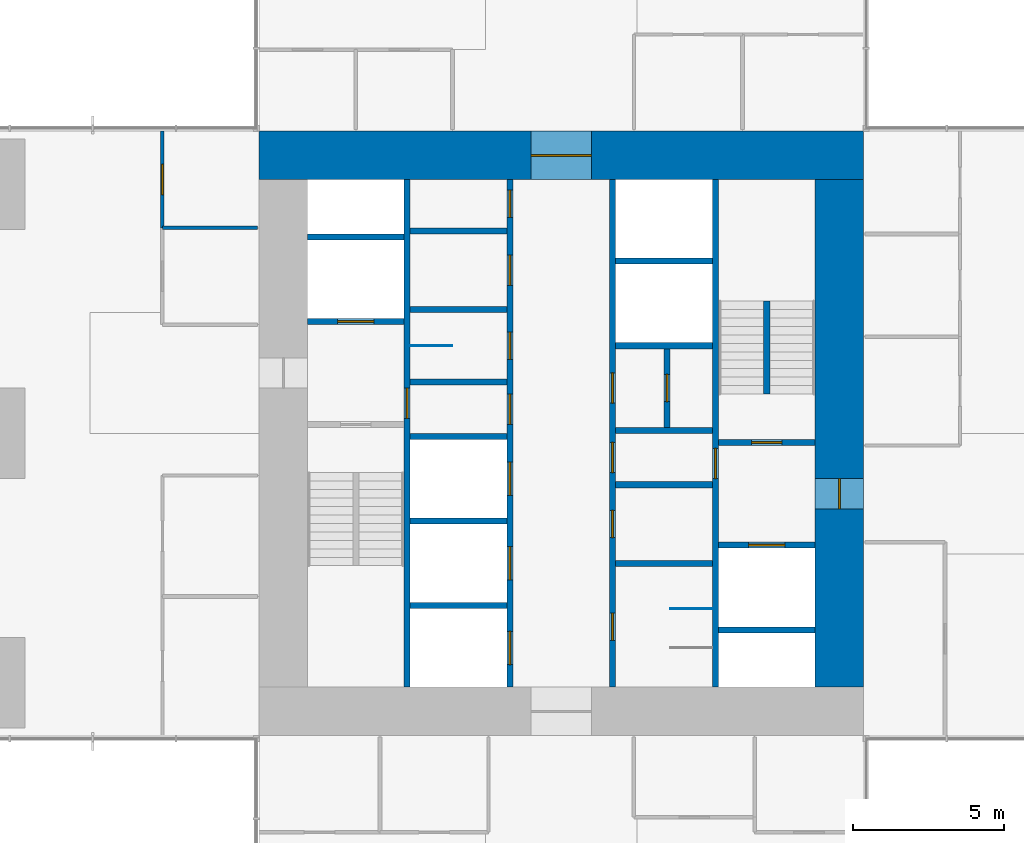
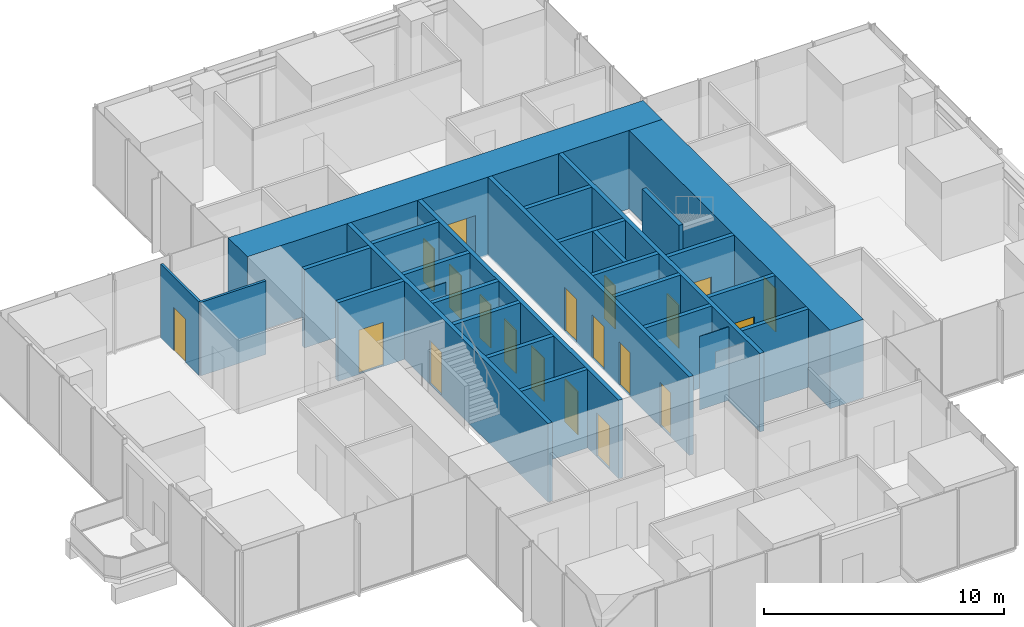
# One storey, part 9 of 13: 28 walls, 20 doors, 20 openings.
"""IFC4 building model written with IfcOpenShell, lengths in metres."""

from ifc_helpers import new_model, si_unit, direction, frame, frame_2d, origin, place, context, subcontext, project, spatial, rectangle, extrude, material, layer, layer_set, type_object, element, fill, save


model = new_model("IFC4")

# Units and contexts
model_context = context("Model", 3, precision=1e-05, world=origin(), true_north=direction((0.0, 1.0)))
body_context = subcontext(model_context, "Body", "Model", "MODEL_VIEW")
ifc_project = project(units=[si_unit("LENGTHUNIT", "METRE"), si_unit("AREAUNIT", "SQUARE_METRE"), si_unit("VOLUMEUNIT", "CUBIC_METRE"), si_unit("PLANEANGLEUNIT", "RADIAN"), si_unit("MASSUNIT", "GRAM", prefix="KILO")], contexts=[model_context])

# Site, building, storey
site_placement = place(None, origin())
site = spatial("IfcSite", under=ifc_project, at=site_placement, CompositionType="ELEMENT")
building_placement = place(site_placement, origin())
building = spatial("IfcBuilding", under=site, at=building_placement, Name="Svetlomir Tower", CompositionType="ELEMENT")
storey_placement = place(building_placement, frame((0.0, 0.0, 128.5)))
storey = spatial("IfcBuildingStorey", under=building, at=storey_placement, Name="L30", CompositionType="ELEMENT", Elevation=128.5)

# Wall, opening, door
ifc_material_1 = material(Name="Concrete C60/75", Category="concrete")
ifc_layer_1 = layer(ifc_material_1, 0.199951171875)
ifc_layer_set_1 = layer_set([ifc_layer_1], Name="Concrete C60/75")
wall_type_1 = type_object("IfcWallType", Name="CORE INNER WALL 200", PredefinedType="SHEAR", material=ifc_layer_set_1)
wall_1_placement = place(storey_placement, frame((15.89990234375, 12.60009765625, -0.050048828125), z_axis=(0.0, 0.0, 1.0), x_axis=(0.0, 1.0, 0.0)))
wall_1 = element("IfcWall", 1, at=wall_1_placement, inside=storey, type_object=wall_type_1, Name="Core inner wall 15.9 L30", PredefinedType="SHEAR", context=body_context, shape_type="SweptSolid", body=[
    extrude(rectangle(XDim=16.7998046875, YDim=0.199951171875, at=frame_2d((8.39990234375, 0.0))), origin(), (0.0, 0.0, 1.0), 4.0),
])
opening_1_placement = place(wall_1_placement, frame((8.89990234375, 0.0, 0.050048828125)))
opening_1 = element("IfcOpeningElement", 2, at=opening_1_placement, cuts=wall_1, Name="Opening DF", PredefinedType="OPENING", context=body_context, shape_type="SweptSolid", body=[
    extrude(rectangle(XDim=1.0, YDim=2.199951171875, at=frame_2d((0.5, 1.10009765625))), frame((0.0, 0.10986328125, 0.0), z_axis=(0.0, -1.0, 0.0), x_axis=(1.0, 0.0, 0.0)), (0.0, 0.0, 1.0), 0.219970703125),
])
ifc_material_2 = material(Name="Steel fire door", Category="steel")
door_type_1 = type_object("IfcDoorType", Name="DOOR DF 1000x2200", OperationType="SINGLE_SWING_LEFT", PredefinedType="DOOR", material=ifc_material_2)
door_1_placement = place(opening_1_placement, origin())
door_1 = element("IfcDoor", 3, at=door_1_placement, inside=storey, type_object=door_type_1, Name="Core corridor west door L30", OperationType="SINGLE_SWING_LEFT", OverallHeight=2.199951171875, OverallWidth=1.0, PredefinedType="DOOR", context=body_context, shape_type="SweptSolid", body=[
    extrude(rectangle(XDim=1.0, YDim=2.199951171875, at=frame_2d((0.5, 1.10009765625))), frame((0.0, 0.02490234375, 0.0), z_axis=(0.0, -1.0, 0.0), x_axis=(1.0, 0.0, 0.0)), (0.0, 0.0, 1.0), 0.050048828125),
])
fill(opening_1, door_1)

# Wall, openings, doors
wall_2_placement = place(storey_placement, frame((19.300048828125, 12.60009765625, -0.050048828125), z_axis=(0.0, 0.0, 1.0), x_axis=(0.0, 1.0, 0.0)))
wall_2 = element("IfcWall", 4, at=wall_2_placement, inside=storey, type_object=wall_type_1, Name="Core inner wall 19.3 L30", PredefinedType="SHEAR", context=body_context, shape_type="SweptSolid", body=[
    extrude(rectangle(XDim=16.7998046875, YDim=0.199951171875, at=frame_2d((8.39990234375, 0.0))), origin(), (0.0, 0.0, 1.0), 4.0),
])
opening_2_placement = place(wall_2_placement, frame((8.699951171875, 0.0, 0.050048828125)))
opening_2 = element("IfcOpeningElement", 5, at=opening_2_placement, cuts=wall_2, Name="Opening DC", PredefinedType="OPENING", context=body_context, shape_type="SweptSolid", body=[
    extrude(rectangle(XDim=1.0, YDim=2.199951171875, at=frame_2d((0.5, 1.10009765625))), frame((0.0, 0.10986328125, 0.0), z_axis=(0.0, -1.0, 0.0), x_axis=(1.0, 0.0, 0.0)), (0.0, 0.0, 1.0), 0.219970703125),
])
opening_3_placement = place(wall_2_placement, frame((10.85009765625, 0.0, 0.050048828125)))
opening_3 = element("IfcOpeningElement", 6, at=opening_3_placement, cuts=wall_2, Name="Opening DW", PredefinedType="OPENING", context=body_context, shape_type="SweptSolid", body=[
    extrude(rectangle(XDim=0.89990234375, YDim=2.199951171875, at=frame_2d((0.449951171875, 1.10009765625))), frame((0.0, 0.10986328125, 0.0), z_axis=(0.0, -1.0, 0.0), x_axis=(1.0, 0.0, 0.0)), (0.0, 0.0, 1.0), 0.219970703125),
])
opening_4_placement = place(wall_2_placement, frame((13.300048828125, 0.0, 0.050048828125)))
opening_4 = element("IfcOpeningElement", 7, at=opening_4_placement, cuts=wall_2, Name="Opening DC", PredefinedType="OPENING", context=body_context, shape_type="SweptSolid", body=[
    extrude(rectangle(XDim=1.0, YDim=2.199951171875, at=frame_2d((0.5, 1.10009765625))), frame((0.0, 0.10986328125, 0.0), z_axis=(0.0, -1.0, 0.0), x_axis=(1.0, 0.0, 0.0)), (0.0, 0.0, 1.0), 0.219970703125),
])
opening_5_placement = place(wall_2_placement, frame((15.550048828125, 0.0, 0.050048828125)))
opening_5 = element("IfcOpeningElement", 8, at=opening_5_placement, cuts=wall_2, Name="Opening DW", PredefinedType="OPENING", context=body_context, shape_type="SweptSolid", body=[
    extrude(rectangle(XDim=0.89990234375, YDim=2.199951171875, at=frame_2d((0.449951171875, 1.10009765625))), frame((0.0, 0.10986328125, 0.0), z_axis=(0.0, -1.0, 0.0), x_axis=(1.0, 0.0, 0.0)), (0.0, 0.0, 1.0), 0.219970703125),
])
opening_6_placement = place(wall_2_placement, frame((0.75, 0.0, 0.050048828125)))
opening_6 = element("IfcOpeningElement", 9, at=opening_6_placement, cuts=wall_2, Name="Opening LD", PredefinedType="OPENING", context=body_context, shape_type="SweptSolid", body=[
    extrude(rectangle(XDim=1.10009765625, YDim=2.199951171875, at=frame_2d((0.550048828125, 1.10009765625))), frame((0.0, 0.10986328125, 0.0), z_axis=(0.0, -1.0, 0.0), x_axis=(1.0, 0.0, 0.0)), (0.0, 0.0, 1.0), 0.219970703125),
])
opening_7_placement = place(wall_2_placement, frame((3.550048828125, 0.0, 0.050048828125)))
opening_7 = element("IfcOpeningElement", 10, at=opening_7_placement, cuts=wall_2, Name="Opening LD", PredefinedType="OPENING", context=body_context, shape_type="SweptSolid", body=[
    extrude(rectangle(XDim=1.10009765625, YDim=2.199951171875, at=frame_2d((0.550048828125, 1.10009765625))), frame((0.0, 0.10986328125, 0.0), z_axis=(0.0, -1.0, 0.0), x_axis=(1.0, 0.0, 0.0)), (0.0, 0.0, 1.0), 0.219970703125),
])
opening_8_placement = place(wall_2_placement, frame((6.35009765625, 0.0, 0.050048828125)))
opening_8 = element("IfcOpeningElement", 11, at=opening_8_placement, cuts=wall_2, Name="Opening LD", PredefinedType="OPENING", context=body_context, shape_type="SweptSolid", body=[
    extrude(rectangle(XDim=1.10009765625, YDim=2.199951171875, at=frame_2d((0.550048828125, 1.10009765625))), frame((0.0, 0.10986328125, 0.0), z_axis=(0.0, -1.0, 0.0), x_axis=(1.0, 0.0, 0.0)), (0.0, 0.0, 1.0), 0.219970703125),
])
ifc_material_3 = material(Name="Timber fire door", Category="wood")
door_type_2 = type_object("IfcDoorType", Name="DOOR DC 1000x2200", OperationType="SINGLE_SWING_LEFT", PredefinedType="DOOR", material=ifc_material_3)
door_2_placement = place(opening_2_placement, origin())
door_2 = element("IfcDoor", 12, at=door_2_placement, inside=storey, type_object=door_type_2, Name="Core corridor west lobby door L30", OperationType="SINGLE_SWING_LEFT", OverallHeight=2.199951171875, OverallWidth=1.0, PredefinedType="DOOR", context=body_context, shape_type="SweptSolid", body=[
    extrude(rectangle(XDim=1.0, YDim=2.199951171875, at=frame_2d((0.5, 1.10009765625))), frame((0.0, 0.02490234375, 0.0), z_axis=(0.0, -1.0, 0.0), x_axis=(1.0, 0.0, 0.0)), (0.0, 0.0, 1.0), 0.050048828125),
])
fill(opening_2, door_2)
door_3_placement = place(opening_4_placement, origin())
door_3 = element("IfcDoor", 13, at=door_3_placement, inside=storey, type_object=door_type_2, Name="Accessible WC door L30", OperationType="SINGLE_SWING_RIGHT", OverallHeight=2.199951171875, OverallWidth=1.0, PredefinedType="DOOR", context=body_context, shape_type="SweptSolid", body=[
    extrude(rectangle(XDim=1.0, YDim=2.199951171875, at=frame_2d((0.5, 1.10009765625))), frame((0.0, 0.02490234375, 0.0), z_axis=(0.0, -1.0, 0.0), x_axis=(1.0, 0.0, 0.0)), (0.0, 0.0, 1.0), 0.050048828125),
])
fill(opening_4, door_3)
ifc_material_4 = material(Name="Timber fire door", Category="wood")
door_type_3 = type_object("IfcDoorType", Name="DOOR DW 900x2200", OperationType="SINGLE_SWING_LEFT", PredefinedType="DOOR", material=ifc_material_4)
door_4_placement = place(opening_3_placement, origin())
door_4 = element("IfcDoor", 14, at=door_4_placement, inside=storey, type_object=door_type_3, Name="Female WC door L30", OperationType="SINGLE_SWING_LEFT", OverallHeight=2.199951171875, OverallWidth=0.89990234375, PredefinedType="DOOR", context=body_context, shape_type="SweptSolid", body=[
    extrude(rectangle(XDim=0.89990234375, YDim=2.199951171875, at=frame_2d((0.449951171875, 1.10009765625))), frame((0.0, 0.02490234375, 0.0), z_axis=(0.0, -1.0, 0.0), x_axis=(1.0, 0.0, 0.0)), (0.0, 0.0, 1.0), 0.050048828125),
])
fill(opening_3, door_4)
door_5_placement = place(opening_5_placement, origin())
door_5 = element("IfcDoor", 15, at=door_5_placement, inside=storey, type_object=door_type_3, Name="First aid room door L30", OperationType="SINGLE_SWING_LEFT", OverallHeight=2.199951171875, OverallWidth=0.89990234375, PredefinedType="DOOR", context=body_context, shape_type="SweptSolid", body=[
    extrude(rectangle(XDim=0.89990234375, YDim=2.199951171875, at=frame_2d((0.449951171875, 1.10009765625))), frame((0.0, 0.02490234375, 0.0), z_axis=(0.0, -1.0, 0.0), x_axis=(1.0, 0.0, 0.0)), (0.0, 0.0, 1.0), 0.050048828125),
])
fill(opening_5, door_5)
ifc_material_5 = material(Name="Stainless steel landing door", Category="steel")
door_type_4 = type_object("IfcDoorType", Name="LIFT LANDING DOOR LD 1100x2200", OperationType="DOUBLE_DOOR_SLIDING", PredefinedType="DOOR", material=ifc_material_5)
door_6_placement = place(opening_6_placement, origin())
door_6 = element("IfcDoor", 16, at=door_6_placement, inside=storey, type_object=door_type_4, Name="Landing door lift LB1 L30", OperationType="DOUBLE_DOOR_SLIDING", OverallHeight=2.199951171875, OverallWidth=1.10009765625, PredefinedType="DOOR", context=body_context, shape_type="SweptSolid", body=[
    extrude(rectangle(XDim=1.10009765625, YDim=2.199951171875, at=frame_2d((0.550048828125, 1.10009765625))), frame((0.0, 0.02490234375, 0.0), z_axis=(0.0, -1.0, 0.0), x_axis=(1.0, 0.0, 0.0)), (0.0, 0.0, 1.0), 0.050048828125),
])
fill(opening_6, door_6)
door_7_placement = place(opening_7_placement, origin())
door_7 = element("IfcDoor", 17, at=door_7_placement, inside=storey, type_object=door_type_4, Name="Landing door lift LB2 L30", OperationType="DOUBLE_DOOR_SLIDING", OverallHeight=2.199951171875, OverallWidth=1.10009765625, PredefinedType="DOOR", context=body_context, shape_type="SweptSolid", body=[
    extrude(rectangle(XDim=1.10009765625, YDim=2.199951171875, at=frame_2d((0.550048828125, 1.10009765625))), frame((0.0, 0.02490234375, 0.0), z_axis=(0.0, -1.0, 0.0), x_axis=(1.0, 0.0, 0.0)), (0.0, 0.0, 1.0), 0.050048828125),
])
fill(opening_7, door_7)
door_8_placement = place(opening_8_placement, origin())
door_8 = element("IfcDoor", 18, at=door_8_placement, inside=storey, type_object=door_type_4, Name="Landing door lift LB3 L30", OperationType="DOUBLE_DOOR_SLIDING", OverallHeight=2.199951171875, OverallWidth=1.10009765625, PredefinedType="DOOR", context=body_context, shape_type="SweptSolid", body=[
    extrude(rectangle(XDim=1.10009765625, YDim=2.199951171875, at=frame_2d((0.550048828125, 1.10009765625))), frame((0.0, 0.02490234375, 0.0), z_axis=(0.0, -1.0, 0.0), x_axis=(1.0, 0.0, 0.0)), (0.0, 0.0, 1.0), 0.050048828125),
])
fill(opening_8, door_8)

wall_3_placement = place(storey_placement, frame((22.699951171875, 12.60009765625, -0.050048828125), z_axis=(0.0, 0.0, 1.0), x_axis=(0.0, 1.0, 0.0)))
wall_3 = element("IfcWall", 19, at=wall_3_placement, inside=storey, type_object=wall_type_1, Name="Core inner wall 22.7 L30", PredefinedType="SHEAR", context=body_context, shape_type="SweptSolid", body=[
    extrude(rectangle(XDim=16.7998046875, YDim=0.199951171875, at=frame_2d((8.39990234375, 0.0))), origin(), (0.0, 0.0, 1.0), 4.0),
])
opening_9_placement = place(wall_3_placement, frame((7.10009765625, 0.0, 0.050048828125)))
opening_9 = element("IfcOpeningElement", 20, at=opening_9_placement, cuts=wall_3, Name="Opening DC", PredefinedType="OPENING", context=body_context, shape_type="SweptSolid", body=[
    extrude(rectangle(XDim=1.0, YDim=2.199951171875, at=frame_2d((0.5, 1.10009765625))), frame((0.0, 0.10986328125, 0.0), z_axis=(0.0, -1.0, 0.0), x_axis=(1.0, 0.0, 0.0)), (0.0, 0.0, 1.0), 0.219970703125),
])
opening_10_placement = place(wall_3_placement, frame((1.550048828125, 0.0, 0.050048828125)))
opening_10 = element("IfcOpeningElement", 21, at=opening_10_placement, cuts=wall_3, Name="Opening DW", PredefinedType="OPENING", context=body_context, shape_type="SweptSolid", body=[
    extrude(rectangle(XDim=0.89990234375, YDim=2.199951171875, at=frame_2d((0.449951171875, 1.10009765625))), frame((0.0, 0.10986328125, 0.0), z_axis=(0.0, -1.0, 0.0), x_axis=(1.0, 0.0, 0.0)), (0.0, 0.0, 1.0), 0.219970703125),
])
opening_11_placement = place(wall_3_placement, frame((4.949951171875, 0.0, 0.050048828125)))
opening_11 = element("IfcOpeningElement", 22, at=opening_11_placement, cuts=wall_3, Name="Opening DW", PredefinedType="OPENING", context=body_context, shape_type="SweptSolid", body=[
    extrude(rectangle(XDim=0.89990234375, YDim=2.199951171875, at=frame_2d((0.449951171875, 1.10009765625))), frame((0.0, 0.10986328125, 0.0), z_axis=(0.0, -1.0, 0.0), x_axis=(1.0, 0.0, 0.0)), (0.0, 0.0, 1.0), 0.219970703125),
])
opening_12_placement = place(wall_3_placement, frame((9.39990234375, 0.0, 0.050048828125)))
opening_12 = element("IfcOpeningElement", 23, at=opening_12_placement, cuts=wall_3, Name="Opening DC", PredefinedType="OPENING", context=body_context, shape_type="SweptSolid", body=[
    extrude(rectangle(XDim=1.0, YDim=2.199951171875, at=frame_2d((0.5, 1.10009765625))), frame((0.0, 0.10986328125, 0.0), z_axis=(0.0, -1.0, 0.0), x_axis=(1.0, 0.0, 0.0)), (0.0, 0.0, 1.0), 0.219970703125),
])
door_9_placement = place(opening_9_placement, origin())
door_9 = element("IfcDoor", 24, at=door_9_placement, inside=storey, type_object=door_type_2, Name="Core corridor east lobby door L30", OperationType="SINGLE_SWING_RIGHT", OverallHeight=2.199951171875, OverallWidth=1.0, PredefinedType="DOOR", context=body_context, shape_type="SweptSolid", body=[
    extrude(rectangle(XDim=1.0, YDim=2.199951171875, at=frame_2d((0.5, 1.10009765625))), frame((0.0, 0.02490234375, 0.0), z_axis=(0.0, -1.0, 0.0), x_axis=(1.0, 0.0, 0.0)), (0.0, 0.0, 1.0), 0.050048828125),
])
fill(opening_9, door_9)
door_10_placement = place(opening_12_placement, origin())
door_10 = element("IfcDoor", 25, at=door_10_placement, inside=storey, type_object=door_type_2, Name="Converted shaft BANK-E1 room door L30", OperationType="SINGLE_SWING_RIGHT", OverallHeight=2.199951171875, OverallWidth=1.0, PredefinedType="DOOR", context=body_context, shape_type="SweptSolid", body=[
    extrude(rectangle(XDim=1.0, YDim=2.199951171875, at=frame_2d((0.5, 1.10009765625))), frame((0.0, 0.02490234375, 0.0), z_axis=(0.0, -1.0, 0.0), x_axis=(1.0, 0.0, 0.0)), (0.0, 0.0, 1.0), 0.050048828125),
])
fill(opening_12, door_10)
door_11_placement = place(opening_10_placement, origin())
door_11 = element("IfcDoor", 26, at=door_11_placement, inside=storey, type_object=door_type_3, Name="Male WC door L30", OperationType="SINGLE_SWING_RIGHT", OverallHeight=2.199951171875, OverallWidth=0.89990234375, PredefinedType="DOOR", context=body_context, shape_type="SweptSolid", body=[
    extrude(rectangle(XDim=0.89990234375, YDim=2.199951171875, at=frame_2d((0.449951171875, 1.10009765625))), frame((0.0, 0.02490234375, 0.0), z_axis=(0.0, -1.0, 0.0), x_axis=(1.0, 0.0, 0.0)), (0.0, 0.0, 1.0), 0.050048828125),
])
fill(opening_10, door_11)
door_12_placement = place(opening_11_placement, origin())
door_12 = element("IfcDoor", 27, at=door_12_placement, inside=storey, type_object=door_type_3, Name="Comms room door L30", OperationType="SINGLE_SWING_LEFT", OverallHeight=2.199951171875, OverallWidth=0.89990234375, PredefinedType="DOOR", context=body_context, shape_type="SweptSolid", body=[
    extrude(rectangle(XDim=0.89990234375, YDim=2.199951171875, at=frame_2d((0.449951171875, 1.10009765625))), frame((0.0, 0.02490234375, 0.0), z_axis=(0.0, -1.0, 0.0), x_axis=(1.0, 0.0, 0.0)), (0.0, 0.0, 1.0), 0.050048828125),
])
fill(opening_11, door_12)

# Wall, opening, door
wall_4_placement = place(storey_placement, frame((26.10009765625, 12.60009765625, -0.050048828125), z_axis=(0.0, 0.0, 1.0), x_axis=(0.0, 1.0, 0.0)))
wall_4 = element("IfcWall", 28, at=wall_4_placement, inside=storey, type_object=wall_type_1, Name="Core inner wall 26.1 L30", PredefinedType="SHEAR", context=body_context, shape_type="SweptSolid", body=[
    extrude(rectangle(XDim=16.7998046875, YDim=0.199951171875, at=frame_2d((8.39990234375, 0.0))), origin(), (0.0, 0.0, 1.0), 4.0),
])
opening_13_placement = place(wall_4_placement, frame((6.89990234375, 0.0, 0.050048828125)))
opening_13 = element("IfcOpeningElement", 29, at=opening_13_placement, cuts=wall_4, Name="Opening DF", PredefinedType="OPENING", context=body_context, shape_type="SweptSolid", body=[
    extrude(rectangle(XDim=1.0, YDim=2.199951171875, at=frame_2d((0.5, 1.10009765625))), frame((0.0, 0.10986328125, 0.0), z_axis=(0.0, -1.0, 0.0), x_axis=(1.0, 0.0, 0.0)), (0.0, 0.0, 1.0), 0.219970703125),
])
door_13_placement = place(opening_13_placement, origin())
door_13 = element("IfcDoor", 30, at=door_13_placement, inside=storey, type_object=door_type_1, Name="Core corridor east door L30", OperationType="SINGLE_SWING_LEFT", OverallHeight=2.199951171875, OverallWidth=1.0, PredefinedType="DOOR", context=body_context, shape_type="SweptSolid", body=[
    extrude(rectangle(XDim=1.0, YDim=2.199951171875, at=frame_2d((0.5, 1.10009765625))), frame((0.0, 0.02490234375, 0.0), z_axis=(0.0, -1.0, 0.0), x_axis=(1.0, 0.0, 0.0)), (0.0, 0.0, 1.0), 0.050048828125),
])
fill(opening_13, door_13)

wall_5_placement = place(storey_placement, frame((12.60009765625, 24.699951171875, -0.050048828125), z_axis=(0.0, 0.0, 1.0), x_axis=(1.0, 0.0, 0.0)))
wall_5 = element("IfcWall", 31, at=wall_5_placement, inside=storey, type_object=wall_type_1, Name="Core inner wall 12.6-15.8/24.7 L30", PredefinedType="SHEAR", context=body_context, shape_type="SweptSolid", body=[
    extrude(rectangle(XDim=3.199951171875, YDim=0.199951171875, at=frame_2d((1.60009765625, 0.0))), origin(), (0.0, 0.0, 1.0), 4.0),
])
opening_14_placement = place(wall_5_placement, frame((1.0, 0.0, 0.050048828125)))
opening_14 = element("IfcOpeningElement", 32, at=opening_14_placement, cuts=wall_5, Name="Opening LD3", PredefinedType="OPENING", context=body_context, shape_type="SweptSolid", body=[
    extrude(rectangle(XDim=1.199951171875, YDim=2.199951171875, at=frame_2d((0.60009765625, 1.10009765625))), frame((0.0, 0.10986328125, 0.0), z_axis=(0.0, -1.0, 0.0), x_axis=(1.0, 0.0, 0.0)), (0.0, 0.0, 1.0), 0.219970703125),
])
ifc_material_6 = material(Name="Stainless steel fire-rated landing door", Category="steel")
door_type_5 = type_object("IfcDoorType", Name="FIREFIGHTING LIFT LANDING DOOR LD3 1200x2200", OperationType="DOUBLE_DOOR_SLIDING", PredefinedType="DOOR", material=ifc_material_6)
door_14_placement = place(opening_14_placement, origin())
door_14 = element("IfcDoor", 33, at=door_14_placement, inside=storey, type_object=door_type_5, Name="Landing door lift FL1 L30", OperationType="DOUBLE_DOOR_SLIDING", OverallHeight=2.199951171875, OverallWidth=1.199951171875, PredefinedType="DOOR", context=body_context, shape_type="SweptSolid", body=[
    extrude(rectangle(XDim=1.199951171875, YDim=2.199951171875, at=frame_2d((0.60009765625, 1.10009765625))), frame((0.0, 0.02490234375, 0.0), z_axis=(0.0, -1.0, 0.0), x_axis=(1.0, 0.0, 0.0)), (0.0, 0.0, 1.0), 0.050048828125),
])
fill(opening_14, door_14)

# Walls
for number, where, z_axis, x_axis, name in (
    (34, (12.60009765625, 27.5, -0.050048828125), (0.0, 0.0, 1.0), (1.0, 0.0, 0.0), "Core inner wall 12.6-15.8/27.5 L30"),
    (35, (16.0, 15.300048828125, -0.050048828125), (0.0, 0.0, 1.0), (1.0, 0.0, 0.0), "Core inner wall 16-19.2/15.3 L30"),
    (36, (16.0, 18.10009765625, -0.050048828125), (0.0, 0.0, 1.0), (1.0, 0.0, 0.0), "Core inner wall 16-19.2/18.1 L30"),
    (37, (16.0, 20.89990234375, -0.050048828125), (0.0, 0.0, 1.0), (1.0, 0.0, 0.0), "Core inner wall 16-19.2/20.9 L30"),
    (38, (16.0, 22.699951171875, -0.050048828125), (0.0, 0.0, 1.0), (1.0, 0.0, 0.0), "Core inner wall 16-19.2/22.7 L30"),
    (39, (16.0, 25.10009765625, -0.050048828125), (0.0, 0.0, 1.0), (1.0, 0.0, 0.0), "Core inner wall 16-19.2/25.1 L30"),
    (40, (16.0, 27.699951171875, -0.050048828125), (0.0, 0.0, 1.0), (1.0, 0.0, 0.0), "Core inner wall 16-19.2/27.7 L30"),
    (41, (22.800048828125, 16.699951171875, -0.050048828125), (0.0, 0.0, 1.0), (1.0, 0.0, 0.0), "Core inner wall 22.8-26/16.7 L30"),
    (42, (22.800048828125, 19.300048828125, -0.050048828125), (0.0, 0.0, 1.0), (1.0, 0.0, 0.0), "Core inner wall 22.8-26/19.3 L30"),
    (43, (22.800048828125, 21.10009765625, -0.050048828125), (0.0, 0.0, 1.0), (1.0, 0.0, 0.0), "Core inner wall 22.8-26/21.1 L30"),
    (44, (22.800048828125, 23.89990234375, -0.050048828125), (0.0, 0.0, 1.0), (1.0, 0.0, 0.0), "Core inner wall 22.8-26/23.9 L30"),
    (45, (22.800048828125, 26.699951171875, -0.050048828125), (0.0, 0.0, 1.0), (1.0, 0.0, 0.0), "Core inner wall 22.8-26/26.7 L30"),
    (46, (26.199951171875, 14.5, -0.050048828125), (0.0, 0.0, 1.0), (1.0, 0.0, 0.0), "Core inner wall 26.2-29.4/14.5 L30"),
):
    element("IfcWall", number, at=place(storey_placement, frame(where, z_axis=z_axis, x_axis=x_axis)), inside=storey, type_object=wall_type_1, Name=name, PredefinedType="SHEAR", context=body_context, shape_type="SweptSolid", body=[
        extrude(rectangle(XDim=3.199951171875, YDim=0.199951171875, at=frame_2d((1.60009765625, 0.0))), origin(), (0.0, 0.0, 1.0), 4.0),
    ])

# Wall, opening, door
wall_6_placement = place(storey_placement, frame((26.199951171875, 17.300048828125, -0.050048828125), z_axis=(0.0, 0.0, 1.0), x_axis=(1.0, 0.0, 0.0)))
wall_6 = element("IfcWall", 47, at=wall_6_placement, inside=storey, type_object=wall_type_1, Name="Core inner wall 26.2-29.4/17.3 L30", PredefinedType="SHEAR", context=body_context, shape_type="SweptSolid", body=[
    extrude(rectangle(XDim=3.199951171875, YDim=0.199951171875, at=frame_2d((1.60009765625, 0.0))), origin(), (0.0, 0.0, 1.0), 4.0),
])
opening_15_placement = place(wall_6_placement, frame((1.0, 0.0, 0.050048828125)))
opening_15 = element("IfcOpeningElement", 48, at=opening_15_placement, cuts=wall_6, Name="Opening LD3", PredefinedType="OPENING", context=body_context, shape_type="SweptSolid", body=[
    extrude(rectangle(XDim=1.199951171875, YDim=2.199951171875, at=frame_2d((0.60009765625, 1.10009765625))), frame((0.0, 0.10986328125, 0.0), z_axis=(0.0, -1.0, 0.0), x_axis=(1.0, 0.0, 0.0)), (0.0, 0.0, 1.0), 0.219970703125),
])
door_15_placement = place(opening_15_placement, origin())
door_15 = element("IfcDoor", 49, at=door_15_placement, inside=storey, type_object=door_type_5, Name="Landing door lift FL2 L30", OperationType="DOUBLE_DOOR_SLIDING", OverallHeight=2.199951171875, OverallWidth=1.199951171875, PredefinedType="DOOR", context=body_context, shape_type="SweptSolid", body=[
    extrude(rectangle(XDim=1.199951171875, YDim=2.199951171875, at=frame_2d((0.60009765625, 1.10009765625))), frame((0.0, 0.02490234375, 0.0), z_axis=(0.0, -1.0, 0.0), x_axis=(1.0, 0.0, 0.0)), (0.0, 0.0, 1.0), 0.050048828125),
])
fill(opening_15, door_15)

wall_7_placement = place(storey_placement, frame((26.199951171875, 20.699951171875, -0.050048828125), z_axis=(0.0, 0.0, 1.0), x_axis=(1.0, 0.0, 0.0)))
wall_7 = element("IfcWall", 50, at=wall_7_placement, inside=storey, type_object=wall_type_1, Name="Core inner wall 26.2-29.4/20.7 L30", PredefinedType="SHEAR", context=body_context, shape_type="SweptSolid", body=[
    extrude(rectangle(XDim=3.199951171875, YDim=0.199951171875, at=frame_2d((1.60009765625, 0.0))), origin(), (0.0, 0.0, 1.0), 4.0),
])
opening_16_placement = place(wall_7_placement, frame((1.10009765625, 0.0, 0.050048828125)))
opening_16 = element("IfcOpeningElement", 51, at=opening_16_placement, cuts=wall_7, Name="Opening DF", PredefinedType="OPENING", context=body_context, shape_type="SweptSolid", body=[
    extrude(rectangle(XDim=1.0, YDim=2.199951171875, at=frame_2d((0.5, 1.10009765625))), frame((0.0, 0.10986328125, 0.0), z_axis=(0.0, -1.0, 0.0), x_axis=(1.0, 0.0, 0.0)), (0.0, 0.0, 1.0), 0.219970703125),
])
door_16_placement = place(opening_16_placement, origin())
door_16 = element("IfcDoor", 52, at=door_16_placement, inside=storey, type_object=door_type_1, Name="Stair S2 door L30", OperationType="SINGLE_SWING_RIGHT", OverallHeight=2.199951171875, OverallWidth=1.0, PredefinedType="DOOR", context=body_context, shape_type="SweptSolid", body=[
    extrude(rectangle(XDim=1.0, YDim=2.199951171875, at=frame_2d((0.5, 1.10009765625))), frame((0.0, 0.02490234375, 0.0), z_axis=(0.0, -1.0, 0.0), x_axis=(1.0, 0.0, 0.0)), (0.0, 0.0, 1.0), 0.050048828125),
])
fill(opening_16, door_16)

wall_8_placement = place(storey_placement, frame((24.5, 21.199951171875, -0.050048828125), z_axis=(0.0, 0.0, 1.0), x_axis=(0.0, 1.0, 0.0)))
wall_8 = element("IfcWall", 53, at=wall_8_placement, inside=storey, type_object=wall_type_1, Name="Core inner wall 24.5/21.2-23.8 L30", PredefinedType="SHEAR", context=body_context, shape_type="SweptSolid", body=[
    extrude(rectangle(XDim=2.60009765625, YDim=0.199951171875, at=frame_2d((1.300048828125, 0.0))), origin(), (0.0, 0.0, 1.0), 4.0),
])
opening_17_placement = place(wall_8_placement, frame((0.85009765625, 0.0, 0.050048828125)))
opening_17 = element("IfcOpeningElement", 54, at=opening_17_placement, cuts=wall_8, Name="Opening DW", PredefinedType="OPENING", context=body_context, shape_type="SweptSolid", body=[
    extrude(rectangle(XDim=0.89990234375, YDim=2.199951171875, at=frame_2d((0.449951171875, 1.10009765625))), frame((0.0, 0.10986328125, 0.0), z_axis=(0.0, -1.0, 0.0), x_axis=(1.0, 0.0, 0.0)), (0.0, 0.0, 1.0), 0.219970703125),
])
door_17_placement = place(opening_17_placement, origin())
door_17 = element("IfcDoor", 55, at=door_17_placement, inside=storey, type_object=door_type_3, Name="Converted shaft BANK-E1 back room door L30", OperationType="SINGLE_SWING_LEFT", OverallHeight=2.199951171875, OverallWidth=0.89990234375, PredefinedType="DOOR", context=body_context, shape_type="SweptSolid", body=[
    extrude(rectangle(XDim=0.89990234375, YDim=2.199951171875, at=frame_2d((0.449951171875, 1.10009765625))), frame((0.0, 0.02490234375, 0.0), z_axis=(0.0, -1.0, 0.0), x_axis=(1.0, 0.0, 0.0)), (0.0, 0.0, 1.0), 0.050048828125),
])
fill(opening_17, door_17)

ifc_material_7 = material(Name="Concrete C60/75", Category="concrete")
ifc_layer_2 = layer(ifc_material_7, 1.60009765625)
ifc_layer_set_2 = layer_set([ifc_layer_2], Name="Concrete C60/75")
wall_type_2 = type_object("IfcWallType", Name="CORE WALL 1600", PredefinedType="SHEAR", material=ifc_layer_set_2)
wall_9_placement = place(storey_placement, frame((11.0, 30.199951171875, -0.050048828125), z_axis=(0.0, 0.0, 1.0), x_axis=(1.0, 0.0, 0.0)))
wall_9 = element("IfcWall", 56, at=wall_9_placement, inside=storey, type_object=wall_type_2, Name="Core wall north L30", PredefinedType="SHEAR", context=body_context, shape_type="SweptSolid", body=[
    extrude(rectangle(XDim=20.0, YDim=1.60009765625, at=frame_2d((10.0, 0.0))), origin(), (0.0, 0.0, 1.0), 4.0),
])
opening_18_placement = place(wall_9_placement, frame((9.0, 0.0, 0.050048828125)))
opening_18 = element("IfcOpeningElement", 57, at=opening_18_placement, cuts=wall_9, Name="Opening DL", PredefinedType="OPENING", context=body_context, shape_type="SweptSolid", body=[
    extrude(rectangle(XDim=2.0, YDim=2.199951171875, at=frame_2d((1.0, 1.10009765625))), frame((0.0, 0.81005859375, 0.0), z_axis=(0.0, -1.0, 0.0), x_axis=(1.0, 0.0, 0.0)), (0.0, 0.0, 1.0), 1.6201171875),
])
ifc_material_8 = material(Name="Steel fire door", Category="steel")
door_type_6 = type_object("IfcDoorType", Name="DOOR DL 2000x2200", OperationType="DOUBLE_DOOR_SINGLE_SWING", PredefinedType="DOOR", material=ifc_material_8)
door_18_placement = place(opening_18_placement, origin())
door_18 = element("IfcDoor", 58, at=door_18_placement, inside=storey, type_object=door_type_6, Name="Lift lobby north door L30", OperationType="DOUBLE_DOOR_SINGLE_SWING", OverallHeight=2.199951171875, OverallWidth=2.0, PredefinedType="DOOR", context=body_context, shape_type="SweptSolid", body=[
    extrude(rectangle(XDim=2.0, YDim=2.199951171875, at=frame_2d((1.0, 1.10009765625))), frame((0.0, 0.02490234375, 0.0), z_axis=(0.0, -1.0, 0.0), x_axis=(1.0, 0.0, 0.0)), (0.0, 0.0, 1.0), 0.050048828125),
])
fill(opening_18, door_18)

wall_10_placement = place(storey_placement, frame((30.199951171875, 12.60009765625, -0.050048828125), z_axis=(0.0, 0.0, 1.0), x_axis=(0.0, 1.0, 0.0)))
wall_10 = element("IfcWall", 59, at=wall_10_placement, inside=storey, type_object=wall_type_2, Name="Core wall east L30", PredefinedType="SHEAR", context=body_context, shape_type="SweptSolid", body=[
    extrude(rectangle(XDim=16.7998046875, YDim=1.60009765625, at=frame_2d((8.39990234375, 0.0))), origin(), (0.0, 0.0, 1.0), 4.0),
])
opening_19_placement = place(wall_10_placement, frame((5.89990234375, 0.0, 0.050048828125)))
opening_19 = element("IfcOpeningElement", 60, at=opening_19_placement, cuts=wall_10, Name="Opening DF", PredefinedType="OPENING", context=body_context, shape_type="SweptSolid", body=[
    extrude(rectangle(XDim=1.0, YDim=2.199951171875, at=frame_2d((0.5, 1.10009765625))), frame((0.0, 0.81005859375, 0.0), z_axis=(0.0, -1.0, 0.0), x_axis=(1.0, 0.0, 0.0)), (0.0, 0.0, 1.0), 1.6201171875),
])
door_19_placement = place(opening_19_placement, origin())
door_19 = element("IfcDoor", 61, at=door_19_placement, inside=storey, type_object=door_type_1, Name="Firefighting lobby east door L30", OperationType="SINGLE_SWING_RIGHT", OverallHeight=2.199951171875, OverallWidth=1.0, PredefinedType="DOOR", context=body_context, shape_type="SweptSolid", body=[
    extrude(rectangle(XDim=1.0, YDim=2.199951171875, at=frame_2d((0.5, 1.10009765625))), frame((0.0, 0.02490234375, 0.0), z_axis=(0.0, -1.0, 0.0), x_axis=(1.0, 0.0, 0.0)), (0.0, 0.0, 1.0), 0.050048828125),
])
fill(opening_19, door_19)

ifc_material_9 = material(Name="Gypsum board on steel studs", Category="steel")
ifc_layer_3 = layer(ifc_material_9, 0.1201171875)
ifc_layer_set_3 = layer_set([ifc_layer_3], Name="Gypsum board on steel studs")
wall_type_3 = type_object("IfcWallType", Name="PARTITION 120", PredefinedType="PARTITIONING", material=ifc_layer_set_3)
wall_11_placement = place(storey_placement, frame((7.800048828125, 27.800048828125, 0.0), z_axis=(0.0, 0.0, 1.0), x_axis=(0.0, 1.0, 0.0)))
wall_11 = element("IfcWall", 62, at=wall_11_placement, inside=storey, type_object=wall_type_3, Name="Partition L30", PredefinedType="PARTITIONING", context=body_context, shape_type="SweptSolid", body=[
    extrude(rectangle(XDim=3.199951171875, YDim=0.1201171875, at=frame_2d((1.60009765625, 0.0))), origin(), (0.0, 0.0, 1.0), 3.75),
])
opening_20_placement = place(wall_11_placement, frame((1.10009765625, 0.0, 0.0)))
opening_20 = element("IfcOpeningElement", 63, at=opening_20_placement, cuts=wall_11, Name="Opening DR", PredefinedType="OPENING", context=body_context, shape_type="SweptSolid", body=[
    extrude(rectangle(XDim=1.0, YDim=2.199951171875, at=frame_2d((0.5, 1.10009765625))), frame((0.0, 0.070068359375, 0.0), z_axis=(0.0, -1.0, 0.0), x_axis=(1.0, 0.0, 0.0)), (0.0, 0.0, 1.0), 0.14013671875),
])
ifc_material_10 = material(Name="Timber door, glazed side light", Category="wood")
door_type_7 = type_object("IfcDoorType", Name="DOOR DR 1000x2200", OperationType="SINGLE_SWING_LEFT", PredefinedType="DOOR", material=ifc_material_10)
door_20_placement = place(opening_20_placement, origin())
door_20 = element("IfcDoor", 64, at=door_20_placement, inside=storey, type_object=door_type_7, Name="Regulatory affairs office door L30", OperationType="SINGLE_SWING_LEFT", OverallHeight=2.199951171875, OverallWidth=1.0, PredefinedType="DOOR", context=body_context, shape_type="SweptSolid", body=[
    extrude(rectangle(XDim=1.0, YDim=2.199951171875, at=frame_2d((0.5, 1.10009765625))), frame((0.0, 0.02490234375, 0.0), z_axis=(0.0, -1.0, 0.0), x_axis=(1.0, 0.0, 0.0)), (0.0, 0.0, 1.0), 0.050048828125),
])
fill(opening_20, door_20)

# Walls
wall_12_placement = place(storey_placement, frame((7.800048828125, 27.800048828125, 0.0), z_axis=(0.0, 0.0, 1.0), x_axis=(1.0, 0.0, 0.0)))
element("IfcWall", 65, at=wall_12_placement, inside=storey, type_object=wall_type_3, Name="Partition L30", PredefinedType="PARTITIONING", context=body_context, shape_type="SweptSolid", body=[
    extrude(rectangle(XDim=3.14990234375, YDim=0.1201171875, at=frame_2d((1.574951171875, 0.0))), origin(), (0.0, 0.0, 1.0), 3.75),
])
ifc_material_11 = material(Name="Concrete C60/75", Category="concrete")
ifc_layer_4 = layer(ifc_material_11, 0.199951171875)
ifc_layer_set_4 = layer_set([ifc_layer_4], Name="Concrete C60/75")
wall_type_4 = type_object("IfcWallType", Name="STAIR SPINE WALL 200", PredefinedType="PARTITIONING", material=ifc_layer_set_4)
wall_13_placement = place(storey_placement, frame((27.800048828125, 22.300048828125, 0.0), z_axis=(0.0, 0.0, 1.0), x_axis=(0.0, 1.0, 0.0)))
element("IfcWall", 66, at=wall_13_placement, inside=storey, type_object=wall_type_4, Name="Stair S2 spine wall L30", PredefinedType="PARTITIONING", context=body_context, shape_type="SweptSolid", body=[
    extrude(rectangle(XDim=3.079833984375, YDim=0.199951171875, at=frame_2d((1.5400390625, 0.0))), origin(), (0.0, 0.0, 1.0), 4.0),
])
ifc_material_12 = material(Name="Compact laminate panel", Category="plastic")
ifc_layer_5 = layer(ifc_material_12, 0.030029296875)
ifc_layer_set_5 = layer_set([ifc_layer_5], Name="Compact laminate panel")
wall_type_5 = type_object("IfcWallType", Name="WC CUBICLE PARTITION 30", PredefinedType="PARTITIONING", material=ifc_layer_set_5)
for number, where, z_axis, x_axis, name in (
    (67, (24.60009765625, 15.199951171875, 0.0), (0.0, 0.0, 1.0), (1.0, 0.0, 0.0), "WC cubicle partition L30"),
    (68, (16.0, 23.89990234375, 0.0), (0.0, 0.0, 1.0), (1.0, 0.0, 0.0), "WC cubicle partition L30"),
):
    element("IfcWall", number, at=place(storey_placement, frame(where, z_axis=z_axis, x_axis=x_axis)), inside=storey, type_object=wall_type_5, Name=name, PredefinedType="PARTITIONING", context=body_context, shape_type="SweptSolid", body=[
        extrude(rectangle(XDim=1.39990234375, YDim=0.030029296875, at=frame_2d((0.699951171875, 0.0))), origin(), (0.0, 0.0, 1.0), 3.75),
    ])

save(model, "model.ifc")
